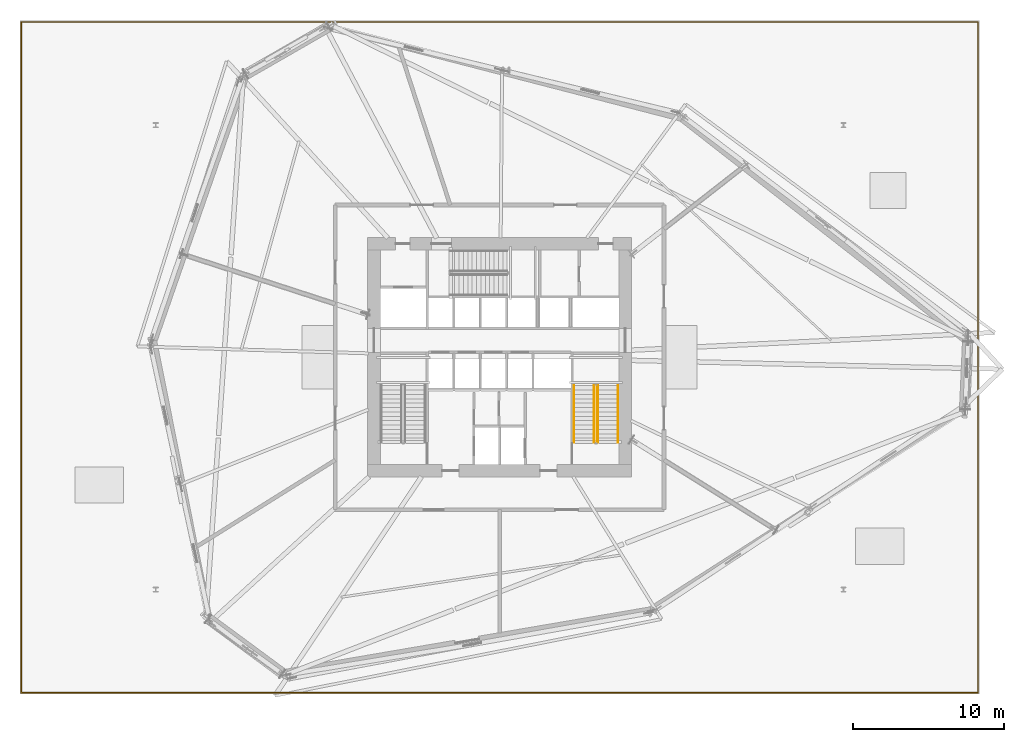
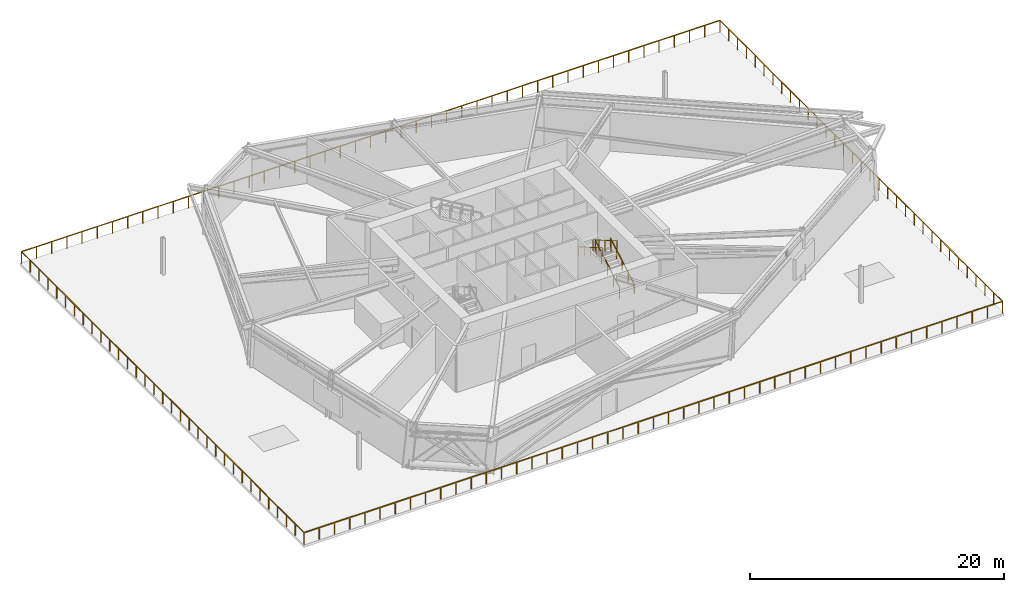
# One storey, part 17 of 20: 6 railings.
"""IFC4 building model written with IfcOpenShell, lengths in metres."""

from ifc_helpers import new_model, si_unit, direction, frame, origin, origin_2d, place, context, subcontext, project, spatial, rectangle, extrude, material, type_object, element, save


model = new_model("IFC4")

# Units and contexts
model_context = context("Model", 3, precision=1e-05, world=origin(), true_north=direction((0.0, 1.0)))
body_context = subcontext(model_context, "Body", "Model", "MODEL_VIEW")
ifc_project = project(units=[si_unit("LENGTHUNIT", "METRE"), si_unit("AREAUNIT", "SQUARE_METRE"), si_unit("VOLUMEUNIT", "CUBIC_METRE"), si_unit("PLANEANGLEUNIT", "RADIAN"), si_unit("MASSUNIT", "GRAM", prefix="KILO")], contexts=[model_context])

# Site, building, storey
site_placement = place(None, origin())
site = spatial("IfcSite", under=ifc_project, at=site_placement, CompositionType="ELEMENT")
building_placement = place(site_placement, origin())
building = spatial("IfcBuilding", under=site, at=building_placement, Name="Olszyna Solenne Hotel", CompositionType="ELEMENT")
storey_placement = place(building_placement, frame((0.0, 0.0, 24.60009765625)))
storey = spatial("IfcBuildingStorey", under=building, at=storey_placement, Name="L05", CompositionType="ELEMENT", Elevation=24.60009765625)

# Railings
ifc_material_1 = material(Name="Anodised bronze aluminium", Category="aluminium")
railing_type_1 = type_object("IfcRailingType", Name="GR-110", PredefinedType="BALUSTRADE", material=ifc_material_1)
railing_1_placement = place(storey_placement, frame((44.5, 20.949951171875, 0.167724609375)))
element("IfcRailing", 1, at=railing_1_placement, inside=storey, type_object=railing_type_1, Name="L05 ST2 stair guard 1", PredefinedType="BALUSTRADE", context=body_context, shape_type="SweptSolid", body=[
    extrude(rectangle(XDim=0.048095703125, YDim=0.048095703125, at=origin_2d()), frame((0.0, 0.0, 1.076171875), z_axis=(0.0, 0.865477444186, 0.5009478951), x_axis=(-1.0, 0.0, 0.0)), (0.0, 0.0, 1.0), 4.35595703125),
    extrude(rectangle(XDim=0.0419921875, YDim=0.0419921875, at=origin_2d()), origin(), (0.0, 0.0, 1.0), 1.052001953125),
    extrude(rectangle(XDim=0.0419921875, YDim=0.0419921875, at=origin_2d()), frame((0.0, 0.9423828125, 0.54541015625)), (0.0, 0.0, 1.0), 1.052001953125),
    extrude(rectangle(XDim=0.0419921875, YDim=0.0419921875, at=origin_2d()), frame((0.0, 1.885009765625, 1.091064453125)), (0.0, 0.0, 1.0), 1.052001953125),
    extrude(rectangle(XDim=0.0419921875, YDim=0.0419921875, at=origin_2d()), frame((0.0, 2.82763671875, 1.63671875)), (0.0, 0.0, 1.0), 1.052001953125),
    extrude(rectangle(XDim=0.0419921875, YDim=0.0419921875, at=origin_2d()), frame((0.0, 3.77001953125, 2.18212890625)), (0.0, 0.0, 1.0), 1.052001953125),
])
railing_2_placement = place(storey_placement, frame((44.280029296875, 24.719970703125, 2.517822265625)))
element("IfcRailing", 2, at=railing_2_placement, inside=storey, type_object=railing_type_1, Name="L05 ST2 stair guard 3", PredefinedType="BALUSTRADE", context=body_context, shape_type="SweptSolid", body=[
    extrude(rectangle(XDim=0.048095703125, YDim=0.048095703125, at=origin_2d()), frame((0.0, 0.0, 1.076171875), z_axis=(0.0, -0.865477444186, 0.5009478951), x_axis=(1.0, 0.0, 0.0)), (0.0, 0.0, 1.0), 4.35595703125),
    extrude(rectangle(XDim=0.0419921875, YDim=0.0419921875, at=origin_2d()), origin(), (0.0, 0.0, 1.0), 1.052001953125),
    extrude(rectangle(XDim=0.0419921875, YDim=0.0419921875, at=origin_2d()), frame((0.0, -0.9423828125, 0.54541015625)), (0.0, 0.0, 1.0), 1.052001953125),
    extrude(rectangle(XDim=0.0419921875, YDim=0.0419921875, at=origin_2d()), frame((0.0, -1.885009765625, 1.091064453125)), (0.0, 0.0, 1.0), 1.052001953125),
    extrude(rectangle(XDim=0.0419921875, YDim=0.0419921875, at=origin_2d()), frame((0.0, -2.82763671875, 1.63671875)), (0.0, 0.0, 1.0), 1.052001953125),
    extrude(rectangle(XDim=0.0419921875, YDim=0.0419921875, at=origin_2d()), frame((0.0, -3.77001953125, 2.18212890625)), (0.0, 0.0, 1.0), 1.052001953125),
])
ifc_material_2 = material(Name="Steel S355J2", Category="steel")
railing_type_2 = type_object("IfcRailingType", Name="GR-115", PredefinedType="BALUSTRADE", material=ifc_material_2)
railing_3_placement = place(storey_placement, frame((6.280029296875, 48.840087890625, 0.0)))
element("IfcRailing", 3, at=railing_3_placement, inside=storey, type_object=railing_type_2, Name="Garden terrace perimeter guard balustrade GR-L05-T11", PredefinedType="BALUSTRADE", context=body_context, shape_type="SweptSolid", body=[
    extrude(rectangle(XDim=0.048095703125, YDim=0.048095703125, at=origin_2d()), frame((0.0, 0.0, 1.1259765625), z_axis=(1.0, 0.0, 0.0), x_axis=(0.0, 1.0, 0.0)), (0.0, 0.0, 1.0), 63.43994140625),
    extrude(rectangle(XDim=0.048095703125, YDim=0.048095703125, at=origin_2d()), frame((63.43994140625, 0.0, 1.1259765625), z_axis=(0.0, -1.0, 0.0), x_axis=(1.0, 0.0, 0.0)), (0.0, 0.0, 1.0), 44.47998046875),
    extrude(rectangle(XDim=0.0419921875, YDim=0.0419921875, at=origin_2d()), origin(), (0.0, 0.0, 1.0), 1.101806640625),
    extrude(rectangle(XDim=0.0419921875, YDim=0.0419921875, at=origin_2d()), frame((1.379150390625, 0.0, 0.0)), (0.0, 0.0, 1.0), 1.101806640625),
    extrude(rectangle(XDim=0.0419921875, YDim=0.0419921875, at=origin_2d()), frame((2.75830078125, 0.0, 0.0)), (0.0, 0.0, 1.0), 1.101806640625),
    extrude(rectangle(XDim=0.0419921875, YDim=0.0419921875, at=origin_2d()), frame((4.137451171875, 0.0, 0.0)), (0.0, 0.0, 1.0), 1.101806640625),
    extrude(rectangle(XDim=0.0419921875, YDim=0.0419921875, at=origin_2d()), frame((5.5166015625, 0.0, 0.0)), (0.0, 0.0, 1.0), 1.101806640625),
    extrude(rectangle(XDim=0.0419921875, YDim=0.0419921875, at=origin_2d()), frame((6.895751953125, 0.0, 0.0)), (0.0, 0.0, 1.0), 1.101806640625),
    extrude(rectangle(XDim=0.0419921875, YDim=0.0419921875, at=origin_2d()), frame((8.274658203125, 0.0, 0.0)), (0.0, 0.0, 1.0), 1.101806640625),
    extrude(rectangle(XDim=0.0419921875, YDim=0.0419921875, at=origin_2d()), frame((9.65380859375, 0.0, 0.0)), (0.0, 0.0, 1.0), 1.101806640625),
    extrude(rectangle(XDim=0.0419921875, YDim=0.0419921875, at=origin_2d()), frame((11.032958984375, 0.0, 0.0)), (0.0, 0.0, 1.0), 1.101806640625),
    extrude(rectangle(XDim=0.0419921875, YDim=0.0419921875, at=origin_2d()), frame((12.412109375, 0.0, 0.0)), (0.0, 0.0, 1.0), 1.101806640625),
    extrude(rectangle(XDim=0.0419921875, YDim=0.0419921875, at=origin_2d()), frame((13.791259765625, 0.0, 0.0)), (0.0, 0.0, 1.0), 1.101806640625),
    extrude(rectangle(XDim=0.0419921875, YDim=0.0419921875, at=origin_2d()), frame((15.17041015625, 0.0, 0.0)), (0.0, 0.0, 1.0), 1.101806640625),
    extrude(rectangle(XDim=0.0419921875, YDim=0.0419921875, at=origin_2d()), frame((16.549560546875, 0.0, 0.0)), (0.0, 0.0, 1.0), 1.101806640625),
    extrude(rectangle(XDim=0.0419921875, YDim=0.0419921875, at=origin_2d()), frame((17.9287109375, 0.0, 0.0)), (0.0, 0.0, 1.0), 1.101806640625),
    extrude(rectangle(XDim=0.0419921875, YDim=0.0419921875, at=origin_2d()), frame((19.307861328125, 0.0, 0.0)), (0.0, 0.0, 1.0), 1.101806640625),
    extrude(rectangle(XDim=0.0419921875, YDim=0.0419921875, at=origin_2d()), frame((20.68701171875, 0.0, 0.0)), (0.0, 0.0, 1.0), 1.101806640625),
    extrude(rectangle(XDim=0.0419921875, YDim=0.0419921875, at=origin_2d()), frame((22.066162109375, 0.0, 0.0)), (0.0, 0.0, 1.0), 1.101806640625),
    extrude(rectangle(XDim=0.0419921875, YDim=0.0419921875, at=origin_2d()), frame((23.4453125, 0.0, 0.0)), (0.0, 0.0, 1.0), 1.101806640625),
    extrude(rectangle(XDim=0.0419921875, YDim=0.0419921875, at=origin_2d()), frame((24.82421875, 0.0, 0.0)), (0.0, 0.0, 1.0), 1.101806640625),
    extrude(rectangle(XDim=0.0419921875, YDim=0.0419921875, at=origin_2d()), frame((26.203369140625, 0.0, 0.0)), (0.0, 0.0, 1.0), 1.101806640625),
    extrude(rectangle(XDim=0.0419921875, YDim=0.0419921875, at=origin_2d()), frame((27.58251953125, 0.0, 0.0)), (0.0, 0.0, 1.0), 1.101806640625),
    extrude(rectangle(XDim=0.0419921875, YDim=0.0419921875, at=origin_2d()), frame((28.961669921875, 0.0, 0.0)), (0.0, 0.0, 1.0), 1.101806640625),
    extrude(rectangle(XDim=0.0419921875, YDim=0.0419921875, at=origin_2d()), frame((30.3408203125, 0.0, 0.0)), (0.0, 0.0, 1.0), 1.101806640625),
    extrude(rectangle(XDim=0.0419921875, YDim=0.0419921875, at=origin_2d()), frame((31.719970703125, 0.0, 0.0)), (0.0, 0.0, 1.0), 1.101806640625),
    extrude(rectangle(XDim=0.0419921875, YDim=0.0419921875, at=origin_2d()), frame((33.09912109375, 0.0, 0.0)), (0.0, 0.0, 1.0), 1.101806640625),
    extrude(rectangle(XDim=0.0419921875, YDim=0.0419921875, at=origin_2d()), frame((34.478271484375, 0.0, 0.0)), (0.0, 0.0, 1.0), 1.101806640625),
    extrude(rectangle(XDim=0.0419921875, YDim=0.0419921875, at=origin_2d()), frame((35.857421875, 0.0, 0.0)), (0.0, 0.0, 1.0), 1.101806640625),
    extrude(rectangle(XDim=0.0419921875, YDim=0.0419921875, at=origin_2d()), frame((37.236572265625, 0.0, 0.0)), (0.0, 0.0, 1.0), 1.101806640625),
    extrude(rectangle(XDim=0.0419921875, YDim=0.0419921875, at=origin_2d()), frame((38.61572265625, 0.0, 0.0)), (0.0, 0.0, 1.0), 1.101806640625),
    extrude(rectangle(XDim=0.0419921875, YDim=0.0419921875, at=origin_2d()), frame((39.99462890625, 0.0, 0.0)), (0.0, 0.0, 1.0), 1.101806640625),
    extrude(rectangle(XDim=0.0419921875, YDim=0.0419921875, at=origin_2d()), frame((41.373779296875, 0.0, 0.0)), (0.0, 0.0, 1.0), 1.101806640625),
    extrude(rectangle(XDim=0.0419921875, YDim=0.0419921875, at=origin_2d()), frame((42.7529296875, 0.0, 0.0)), (0.0, 0.0, 1.0), 1.101806640625),
    extrude(rectangle(XDim=0.0419921875, YDim=0.0419921875, at=origin_2d()), frame((44.132080078125, 0.0, 0.0)), (0.0, 0.0, 1.0), 1.101806640625),
    extrude(rectangle(XDim=0.0419921875, YDim=0.0419921875, at=origin_2d()), frame((45.51123046875, 0.0, 0.0)), (0.0, 0.0, 1.0), 1.101806640625),
    extrude(rectangle(XDim=0.0419921875, YDim=0.0419921875, at=origin_2d()), frame((46.890380859375, 0.0, 0.0)), (0.0, 0.0, 1.0), 1.101806640625),
    extrude(rectangle(XDim=0.0419921875, YDim=0.0419921875, at=origin_2d()), frame((48.26953125, 0.0, 0.0)), (0.0, 0.0, 1.0), 1.101806640625),
    extrude(rectangle(XDim=0.0419921875, YDim=0.0419921875, at=origin_2d()), frame((49.648681640625, 0.0, 0.0)), (0.0, 0.0, 1.0), 1.101806640625),
    extrude(rectangle(XDim=0.0419921875, YDim=0.0419921875, at=origin_2d()), frame((51.02783203125, 0.0, 0.0)), (0.0, 0.0, 1.0), 1.101806640625),
    extrude(rectangle(XDim=0.0419921875, YDim=0.0419921875, at=origin_2d()), frame((52.406982421875, 0.0, 0.0)), (0.0, 0.0, 1.0), 1.101806640625),
    extrude(rectangle(XDim=0.0419921875, YDim=0.0419921875, at=origin_2d()), frame((53.7861328125, 0.0, 0.0)), (0.0, 0.0, 1.0), 1.101806640625),
    extrude(rectangle(XDim=0.0419921875, YDim=0.0419921875, at=origin_2d()), frame((55.165283203125, 0.0, 0.0)), (0.0, 0.0, 1.0), 1.101806640625),
    extrude(rectangle(XDim=0.0419921875, YDim=0.0419921875, at=origin_2d()), frame((56.544189453125, 0.0, 0.0)), (0.0, 0.0, 1.0), 1.101806640625),
    extrude(rectangle(XDim=0.0419921875, YDim=0.0419921875, at=origin_2d()), frame((57.92333984375, 0.0, 0.0)), (0.0, 0.0, 1.0), 1.101806640625),
    extrude(rectangle(XDim=0.0419921875, YDim=0.0419921875, at=origin_2d()), frame((59.302490234375, 0.0, 0.0)), (0.0, 0.0, 1.0), 1.101806640625),
    extrude(rectangle(XDim=0.0419921875, YDim=0.0419921875, at=origin_2d()), frame((60.681640625, 0.0, 0.0)), (0.0, 0.0, 1.0), 1.101806640625),
    extrude(rectangle(XDim=0.0419921875, YDim=0.0419921875, at=origin_2d()), frame((62.060791015625, 0.0, 0.0)), (0.0, 0.0, 1.0), 1.101806640625),
    extrude(rectangle(XDim=0.0419921875, YDim=0.0419921875, at=origin_2d()), frame((63.43994140625, 0.0, 0.0)), (0.0, 0.0, 1.0), 1.101806640625),
    extrude(rectangle(XDim=0.0419921875, YDim=0.0419921875, at=origin_2d()), frame((63.43994140625, -1.389892578125, 0.0)), (0.0, 0.0, 1.0), 1.101806640625),
    extrude(rectangle(XDim=0.0419921875, YDim=0.0419921875, at=origin_2d()), frame((63.43994140625, -2.780029296875, 0.0)), (0.0, 0.0, 1.0), 1.101806640625),
    extrude(rectangle(XDim=0.0419921875, YDim=0.0419921875, at=origin_2d()), frame((63.43994140625, -4.169921875, 0.0)), (0.0, 0.0, 1.0), 1.101806640625),
    extrude(rectangle(XDim=0.0419921875, YDim=0.0419921875, at=origin_2d()), frame((63.43994140625, -5.56005859375, 0.0)), (0.0, 0.0, 1.0), 1.101806640625),
    extrude(rectangle(XDim=0.0419921875, YDim=0.0419921875, at=origin_2d()), frame((63.43994140625, -6.949951171875, 0.0)), (0.0, 0.0, 1.0), 1.101806640625),
    extrude(rectangle(XDim=0.0419921875, YDim=0.0419921875, at=origin_2d()), frame((63.43994140625, -8.340087890625, 0.0)), (0.0, 0.0, 1.0), 1.101806640625),
    extrude(rectangle(XDim=0.0419921875, YDim=0.0419921875, at=origin_2d()), frame((63.43994140625, -9.72998046875, 0.0)), (0.0, 0.0, 1.0), 1.101806640625),
    extrude(rectangle(XDim=0.0419921875, YDim=0.0419921875, at=origin_2d()), frame((63.43994140625, -11.1201171875, 0.0)), (0.0, 0.0, 1.0), 1.101806640625),
    extrude(rectangle(XDim=0.0419921875, YDim=0.0419921875, at=origin_2d()), frame((63.43994140625, -12.510009765625, 0.0)), (0.0, 0.0, 1.0), 1.101806640625),
    extrude(rectangle(XDim=0.0419921875, YDim=0.0419921875, at=origin_2d()), frame((63.43994140625, -13.89990234375, 0.0)), (0.0, 0.0, 1.0), 1.101806640625),
    extrude(rectangle(XDim=0.0419921875, YDim=0.0419921875, at=origin_2d()), frame((63.43994140625, -15.2900390625, 0.0)), (0.0, 0.0, 1.0), 1.101806640625),
    extrude(rectangle(XDim=0.0419921875, YDim=0.0419921875, at=origin_2d()), frame((63.43994140625, -16.679931640625, 0.0)), (0.0, 0.0, 1.0), 1.101806640625),
    extrude(rectangle(XDim=0.0419921875, YDim=0.0419921875, at=origin_2d()), frame((63.43994140625, -18.070068359375, 0.0)), (0.0, 0.0, 1.0), 1.101806640625),
    extrude(rectangle(XDim=0.0419921875, YDim=0.0419921875, at=origin_2d()), frame((63.43994140625, -19.4599609375, 0.0)), (0.0, 0.0, 1.0), 1.101806640625),
    extrude(rectangle(XDim=0.0419921875, YDim=0.0419921875, at=origin_2d()), frame((63.43994140625, -20.85009765625, 0.0)), (0.0, 0.0, 1.0), 1.101806640625),
    extrude(rectangle(XDim=0.0419921875, YDim=0.0419921875, at=origin_2d()), frame((63.43994140625, -22.239990234375, 0.0)), (0.0, 0.0, 1.0), 1.101806640625),
    extrude(rectangle(XDim=0.0419921875, YDim=0.0419921875, at=origin_2d()), frame((63.43994140625, -23.6298828125, 0.0)), (0.0, 0.0, 1.0), 1.101806640625),
    extrude(rectangle(XDim=0.0419921875, YDim=0.0419921875, at=origin_2d()), frame((63.43994140625, -25.02001953125, 0.0)), (0.0, 0.0, 1.0), 1.101806640625),
    extrude(rectangle(XDim=0.0419921875, YDim=0.0419921875, at=origin_2d()), frame((63.43994140625, -26.409912109375, 0.0)), (0.0, 0.0, 1.0), 1.101806640625),
    extrude(rectangle(XDim=0.0419921875, YDim=0.0419921875, at=origin_2d()), frame((63.43994140625, -27.800048828125, 0.0)), (0.0, 0.0, 1.0), 1.101806640625),
    extrude(rectangle(XDim=0.0419921875, YDim=0.0419921875, at=origin_2d()), frame((63.43994140625, -29.18994140625, 0.0)), (0.0, 0.0, 1.0), 1.101806640625),
    extrude(rectangle(XDim=0.0419921875, YDim=0.0419921875, at=origin_2d()), frame((63.43994140625, -30.580078125, 0.0)), (0.0, 0.0, 1.0), 1.101806640625),
    extrude(rectangle(XDim=0.0419921875, YDim=0.0419921875, at=origin_2d()), frame((63.43994140625, -31.969970703125, 0.0)), (0.0, 0.0, 1.0), 1.101806640625),
    extrude(rectangle(XDim=0.0419921875, YDim=0.0419921875, at=origin_2d()), frame((63.43994140625, -33.35986328125, 0.0)), (0.0, 0.0, 1.0), 1.101806640625),
    extrude(rectangle(XDim=0.0419921875, YDim=0.0419921875, at=origin_2d()), frame((63.43994140625, -34.75, 0.0)), (0.0, 0.0, 1.0), 1.101806640625),
    extrude(rectangle(XDim=0.0419921875, YDim=0.0419921875, at=origin_2d()), frame((63.43994140625, -36.139892578125, 0.0)), (0.0, 0.0, 1.0), 1.101806640625),
    extrude(rectangle(XDim=0.0419921875, YDim=0.0419921875, at=origin_2d()), frame((63.43994140625, -37.530029296875, 0.0)), (0.0, 0.0, 1.0), 1.101806640625),
    extrude(rectangle(XDim=0.0419921875, YDim=0.0419921875, at=origin_2d()), frame((63.43994140625, -38.919921875, 0.0)), (0.0, 0.0, 1.0), 1.101806640625),
    extrude(rectangle(XDim=0.0419921875, YDim=0.0419921875, at=origin_2d()), frame((63.43994140625, -40.31005859375, 0.0)), (0.0, 0.0, 1.0), 1.101806640625),
    extrude(rectangle(XDim=0.0419921875, YDim=0.0419921875, at=origin_2d()), frame((63.43994140625, -41.699951171875, 0.0)), (0.0, 0.0, 1.0), 1.101806640625),
    extrude(rectangle(XDim=0.0419921875, YDim=0.0419921875, at=origin_2d()), frame((63.43994140625, -43.090087890625, 0.0)), (0.0, 0.0, 1.0), 1.101806640625),
    extrude(rectangle(XDim=0.0419921875, YDim=0.0419921875, at=origin_2d()), frame((63.43994140625, -44.47998046875, 0.0)), (0.0, 0.0, 1.0), 1.101806640625),
])
railing_4_placement = place(storey_placement, frame((69.719970703125, 4.360107421875, 0.0)))
element("IfcRailing", 4, at=railing_4_placement, inside=storey, type_object=railing_type_2, Name="Garden terrace perimeter guard balustrade GR-L05-T12", PredefinedType="BALUSTRADE", context=body_context, shape_type="SweptSolid", body=[
    extrude(rectangle(XDim=0.048095703125, YDim=0.048095703125, at=origin_2d()), frame((0.0, 0.0, 1.1259765625), z_axis=(-1.0, 0.0, 0.0), x_axis=(0.0, -1.0, 0.0)), (0.0, 0.0, 1.0), 63.43994140625),
    extrude(rectangle(XDim=0.048095703125, YDim=0.048095703125, at=origin_2d()), frame((-63.43994140625, 0.0, 1.1259765625), z_axis=(0.0, 1.0, 0.0), x_axis=(-1.0, 0.0, 0.0)), (0.0, 0.0, 1.0), 44.47998046875),
    extrude(rectangle(XDim=0.0419921875, YDim=0.0419921875, at=origin_2d()), origin(), (0.0, 0.0, 1.0), 1.101806640625),
    extrude(rectangle(XDim=0.0419921875, YDim=0.0419921875, at=origin_2d()), frame((-1.379150390625, 0.0, 0.0)), (0.0, 0.0, 1.0), 1.101806640625),
    extrude(rectangle(XDim=0.0419921875, YDim=0.0419921875, at=origin_2d()), frame((-2.75830078125, 0.0, 0.0)), (0.0, 0.0, 1.0), 1.101806640625),
    extrude(rectangle(XDim=0.0419921875, YDim=0.0419921875, at=origin_2d()), frame((-4.137451171875, 0.0, 0.0)), (0.0, 0.0, 1.0), 1.101806640625),
    extrude(rectangle(XDim=0.0419921875, YDim=0.0419921875, at=origin_2d()), frame((-5.5166015625, 0.0, 0.0)), (0.0, 0.0, 1.0), 1.101806640625),
    extrude(rectangle(XDim=0.0419921875, YDim=0.0419921875, at=origin_2d()), frame((-6.895751953125, 0.0, 0.0)), (0.0, 0.0, 1.0), 1.101806640625),
    extrude(rectangle(XDim=0.0419921875, YDim=0.0419921875, at=origin_2d()), frame((-8.274658203125, 0.0, 0.0)), (0.0, 0.0, 1.0), 1.101806640625),
    extrude(rectangle(XDim=0.0419921875, YDim=0.0419921875, at=origin_2d()), frame((-9.65380859375, 0.0, 0.0)), (0.0, 0.0, 1.0), 1.101806640625),
    extrude(rectangle(XDim=0.0419921875, YDim=0.0419921875, at=origin_2d()), frame((-11.032958984375, 0.0, 0.0)), (0.0, 0.0, 1.0), 1.101806640625),
    extrude(rectangle(XDim=0.0419921875, YDim=0.0419921875, at=origin_2d()), frame((-12.412109375, 0.0, 0.0)), (0.0, 0.0, 1.0), 1.101806640625),
    extrude(rectangle(XDim=0.0419921875, YDim=0.0419921875, at=origin_2d()), frame((-13.791259765625, 0.0, 0.0)), (0.0, 0.0, 1.0), 1.101806640625),
    extrude(rectangle(XDim=0.0419921875, YDim=0.0419921875, at=origin_2d()), frame((-15.17041015625, 0.0, 0.0)), (0.0, 0.0, 1.0), 1.101806640625),
    extrude(rectangle(XDim=0.0419921875, YDim=0.0419921875, at=origin_2d()), frame((-16.549560546875, 0.0, 0.0)), (0.0, 0.0, 1.0), 1.101806640625),
    extrude(rectangle(XDim=0.0419921875, YDim=0.0419921875, at=origin_2d()), frame((-17.9287109375, 0.0, 0.0)), (0.0, 0.0, 1.0), 1.101806640625),
    extrude(rectangle(XDim=0.0419921875, YDim=0.0419921875, at=origin_2d()), frame((-19.307861328125, 0.0, 0.0)), (0.0, 0.0, 1.0), 1.101806640625),
    extrude(rectangle(XDim=0.0419921875, YDim=0.0419921875, at=origin_2d()), frame((-20.68701171875, 0.0, 0.0)), (0.0, 0.0, 1.0), 1.101806640625),
    extrude(rectangle(XDim=0.0419921875, YDim=0.0419921875, at=origin_2d()), frame((-22.066162109375, 0.0, 0.0)), (0.0, 0.0, 1.0), 1.101806640625),
    extrude(rectangle(XDim=0.0419921875, YDim=0.0419921875, at=origin_2d()), frame((-23.4453125, 0.0, 0.0)), (0.0, 0.0, 1.0), 1.101806640625),
    extrude(rectangle(XDim=0.0419921875, YDim=0.0419921875, at=origin_2d()), frame((-24.82421875, 0.0, 0.0)), (0.0, 0.0, 1.0), 1.101806640625),
    extrude(rectangle(XDim=0.0419921875, YDim=0.0419921875, at=origin_2d()), frame((-26.203369140625, 0.0, 0.0)), (0.0, 0.0, 1.0), 1.101806640625),
    extrude(rectangle(XDim=0.0419921875, YDim=0.0419921875, at=origin_2d()), frame((-27.58251953125, 0.0, 0.0)), (0.0, 0.0, 1.0), 1.101806640625),
    extrude(rectangle(XDim=0.0419921875, YDim=0.0419921875, at=origin_2d()), frame((-28.961669921875, 0.0, 0.0)), (0.0, 0.0, 1.0), 1.101806640625),
    extrude(rectangle(XDim=0.0419921875, YDim=0.0419921875, at=origin_2d()), frame((-30.3408203125, 0.0, 0.0)), (0.0, 0.0, 1.0), 1.101806640625),
    extrude(rectangle(XDim=0.0419921875, YDim=0.0419921875, at=origin_2d()), frame((-31.719970703125, 0.0, 0.0)), (0.0, 0.0, 1.0), 1.101806640625),
    extrude(rectangle(XDim=0.0419921875, YDim=0.0419921875, at=origin_2d()), frame((-33.09912109375, 0.0, 0.0)), (0.0, 0.0, 1.0), 1.101806640625),
    extrude(rectangle(XDim=0.0419921875, YDim=0.0419921875, at=origin_2d()), frame((-34.478271484375, 0.0, 0.0)), (0.0, 0.0, 1.0), 1.101806640625),
    extrude(rectangle(XDim=0.0419921875, YDim=0.0419921875, at=origin_2d()), frame((-35.857421875, 0.0, 0.0)), (0.0, 0.0, 1.0), 1.101806640625),
    extrude(rectangle(XDim=0.0419921875, YDim=0.0419921875, at=origin_2d()), frame((-37.236572265625, 0.0, 0.0)), (0.0, 0.0, 1.0), 1.101806640625),
    extrude(rectangle(XDim=0.0419921875, YDim=0.0419921875, at=origin_2d()), frame((-38.61572265625, 0.0, 0.0)), (0.0, 0.0, 1.0), 1.101806640625),
    extrude(rectangle(XDim=0.0419921875, YDim=0.0419921875, at=origin_2d()), frame((-39.99462890625, 0.0, 0.0)), (0.0, 0.0, 1.0), 1.101806640625),
    extrude(rectangle(XDim=0.0419921875, YDim=0.0419921875, at=origin_2d()), frame((-41.373779296875, 0.0, 0.0)), (0.0, 0.0, 1.0), 1.101806640625),
    extrude(rectangle(XDim=0.0419921875, YDim=0.0419921875, at=origin_2d()), frame((-42.7529296875, 0.0, 0.0)), (0.0, 0.0, 1.0), 1.101806640625),
    extrude(rectangle(XDim=0.0419921875, YDim=0.0419921875, at=origin_2d()), frame((-44.132080078125, 0.0, 0.0)), (0.0, 0.0, 1.0), 1.101806640625),
    extrude(rectangle(XDim=0.0419921875, YDim=0.0419921875, at=origin_2d()), frame((-45.51123046875, 0.0, 0.0)), (0.0, 0.0, 1.0), 1.101806640625),
    extrude(rectangle(XDim=0.0419921875, YDim=0.0419921875, at=origin_2d()), frame((-46.890380859375, 0.0, 0.0)), (0.0, 0.0, 1.0), 1.101806640625),
    extrude(rectangle(XDim=0.0419921875, YDim=0.0419921875, at=origin_2d()), frame((-48.26953125, 0.0, 0.0)), (0.0, 0.0, 1.0), 1.101806640625),
    extrude(rectangle(XDim=0.0419921875, YDim=0.0419921875, at=origin_2d()), frame((-49.648681640625, 0.0, 0.0)), (0.0, 0.0, 1.0), 1.101806640625),
    extrude(rectangle(XDim=0.0419921875, YDim=0.0419921875, at=origin_2d()), frame((-51.02783203125, 0.0, 0.0)), (0.0, 0.0, 1.0), 1.101806640625),
    extrude(rectangle(XDim=0.0419921875, YDim=0.0419921875, at=origin_2d()), frame((-52.406982421875, 0.0, 0.0)), (0.0, 0.0, 1.0), 1.101806640625),
    extrude(rectangle(XDim=0.0419921875, YDim=0.0419921875, at=origin_2d()), frame((-53.7861328125, 0.0, 0.0)), (0.0, 0.0, 1.0), 1.101806640625),
    extrude(rectangle(XDim=0.0419921875, YDim=0.0419921875, at=origin_2d()), frame((-55.165283203125, 0.0, 0.0)), (0.0, 0.0, 1.0), 1.101806640625),
    extrude(rectangle(XDim=0.0419921875, YDim=0.0419921875, at=origin_2d()), frame((-56.544189453125, 0.0, 0.0)), (0.0, 0.0, 1.0), 1.101806640625),
    extrude(rectangle(XDim=0.0419921875, YDim=0.0419921875, at=origin_2d()), frame((-57.92333984375, 0.0, 0.0)), (0.0, 0.0, 1.0), 1.101806640625),
    extrude(rectangle(XDim=0.0419921875, YDim=0.0419921875, at=origin_2d()), frame((-59.302490234375, 0.0, 0.0)), (0.0, 0.0, 1.0), 1.101806640625),
    extrude(rectangle(XDim=0.0419921875, YDim=0.0419921875, at=origin_2d()), frame((-60.681640625, 0.0, 0.0)), (0.0, 0.0, 1.0), 1.101806640625),
    extrude(rectangle(XDim=0.0419921875, YDim=0.0419921875, at=origin_2d()), frame((-62.060791015625, 0.0, 0.0)), (0.0, 0.0, 1.0), 1.101806640625),
    extrude(rectangle(XDim=0.0419921875, YDim=0.0419921875, at=origin_2d()), frame((-63.43994140625, 0.0, 0.0)), (0.0, 0.0, 1.0), 1.101806640625),
    extrude(rectangle(XDim=0.0419921875, YDim=0.0419921875, at=origin_2d()), frame((-63.43994140625, 1.389892578125, 0.0)), (0.0, 0.0, 1.0), 1.101806640625),
    extrude(rectangle(XDim=0.0419921875, YDim=0.0419921875, at=origin_2d()), frame((-63.43994140625, 2.780029296875, 0.0)), (0.0, 0.0, 1.0), 1.101806640625),
    extrude(rectangle(XDim=0.0419921875, YDim=0.0419921875, at=origin_2d()), frame((-63.43994140625, 4.169921875, 0.0)), (0.0, 0.0, 1.0), 1.101806640625),
    extrude(rectangle(XDim=0.0419921875, YDim=0.0419921875, at=origin_2d()), frame((-63.43994140625, 5.56005859375, 0.0)), (0.0, 0.0, 1.0), 1.101806640625),
    extrude(rectangle(XDim=0.0419921875, YDim=0.0419921875, at=origin_2d()), frame((-63.43994140625, 6.949951171875, 0.0)), (0.0, 0.0, 1.0), 1.101806640625),
    extrude(rectangle(XDim=0.0419921875, YDim=0.0419921875, at=origin_2d()), frame((-63.43994140625, 8.340087890625, 0.0)), (0.0, 0.0, 1.0), 1.101806640625),
    extrude(rectangle(XDim=0.0419921875, YDim=0.0419921875, at=origin_2d()), frame((-63.43994140625, 9.72998046875, 0.0)), (0.0, 0.0, 1.0), 1.101806640625),
    extrude(rectangle(XDim=0.0419921875, YDim=0.0419921875, at=origin_2d()), frame((-63.43994140625, 11.1201171875, 0.0)), (0.0, 0.0, 1.0), 1.101806640625),
    extrude(rectangle(XDim=0.0419921875, YDim=0.0419921875, at=origin_2d()), frame((-63.43994140625, 12.510009765625, 0.0)), (0.0, 0.0, 1.0), 1.101806640625),
    extrude(rectangle(XDim=0.0419921875, YDim=0.0419921875, at=origin_2d()), frame((-63.43994140625, 13.89990234375, 0.0)), (0.0, 0.0, 1.0), 1.101806640625),
    extrude(rectangle(XDim=0.0419921875, YDim=0.0419921875, at=origin_2d()), frame((-63.43994140625, 15.2900390625, 0.0)), (0.0, 0.0, 1.0), 1.101806640625),
    extrude(rectangle(XDim=0.0419921875, YDim=0.0419921875, at=origin_2d()), frame((-63.43994140625, 16.679931640625, 0.0)), (0.0, 0.0, 1.0), 1.101806640625),
    extrude(rectangle(XDim=0.0419921875, YDim=0.0419921875, at=origin_2d()), frame((-63.43994140625, 18.070068359375, 0.0)), (0.0, 0.0, 1.0), 1.101806640625),
    extrude(rectangle(XDim=0.0419921875, YDim=0.0419921875, at=origin_2d()), frame((-63.43994140625, 19.4599609375, 0.0)), (0.0, 0.0, 1.0), 1.101806640625),
    extrude(rectangle(XDim=0.0419921875, YDim=0.0419921875, at=origin_2d()), frame((-63.43994140625, 20.85009765625, 0.0)), (0.0, 0.0, 1.0), 1.101806640625),
    extrude(rectangle(XDim=0.0419921875, YDim=0.0419921875, at=origin_2d()), frame((-63.43994140625, 22.239990234375, 0.0)), (0.0, 0.0, 1.0), 1.101806640625),
    extrude(rectangle(XDim=0.0419921875, YDim=0.0419921875, at=origin_2d()), frame((-63.43994140625, 23.6298828125, 0.0)), (0.0, 0.0, 1.0), 1.101806640625),
    extrude(rectangle(XDim=0.0419921875, YDim=0.0419921875, at=origin_2d()), frame((-63.43994140625, 25.02001953125, 0.0)), (0.0, 0.0, 1.0), 1.101806640625),
    extrude(rectangle(XDim=0.0419921875, YDim=0.0419921875, at=origin_2d()), frame((-63.43994140625, 26.409912109375, 0.0)), (0.0, 0.0, 1.0), 1.101806640625),
    extrude(rectangle(XDim=0.0419921875, YDim=0.0419921875, at=origin_2d()), frame((-63.43994140625, 27.800048828125, 0.0)), (0.0, 0.0, 1.0), 1.101806640625),
    extrude(rectangle(XDim=0.0419921875, YDim=0.0419921875, at=origin_2d()), frame((-63.43994140625, 29.18994140625, 0.0)), (0.0, 0.0, 1.0), 1.101806640625),
    extrude(rectangle(XDim=0.0419921875, YDim=0.0419921875, at=origin_2d()), frame((-63.43994140625, 30.580078125, 0.0)), (0.0, 0.0, 1.0), 1.101806640625),
    extrude(rectangle(XDim=0.0419921875, YDim=0.0419921875, at=origin_2d()), frame((-63.43994140625, 31.969970703125, 0.0)), (0.0, 0.0, 1.0), 1.101806640625),
    extrude(rectangle(XDim=0.0419921875, YDim=0.0419921875, at=origin_2d()), frame((-63.43994140625, 33.35986328125, 0.0)), (0.0, 0.0, 1.0), 1.101806640625),
    extrude(rectangle(XDim=0.0419921875, YDim=0.0419921875, at=origin_2d()), frame((-63.43994140625, 34.75, 0.0)), (0.0, 0.0, 1.0), 1.101806640625),
    extrude(rectangle(XDim=0.0419921875, YDim=0.0419921875, at=origin_2d()), frame((-63.43994140625, 36.139892578125, 0.0)), (0.0, 0.0, 1.0), 1.101806640625),
    extrude(rectangle(XDim=0.0419921875, YDim=0.0419921875, at=origin_2d()), frame((-63.43994140625, 37.530029296875, 0.0)), (0.0, 0.0, 1.0), 1.101806640625),
    extrude(rectangle(XDim=0.0419921875, YDim=0.0419921875, at=origin_2d()), frame((-63.43994140625, 38.919921875, 0.0)), (0.0, 0.0, 1.0), 1.101806640625),
    extrude(rectangle(XDim=0.0419921875, YDim=0.0419921875, at=origin_2d()), frame((-63.43994140625, 40.31005859375, 0.0)), (0.0, 0.0, 1.0), 1.101806640625),
    extrude(rectangle(XDim=0.0419921875, YDim=0.0419921875, at=origin_2d()), frame((-63.43994140625, 41.699951171875, 0.0)), (0.0, 0.0, 1.0), 1.101806640625),
    extrude(rectangle(XDim=0.0419921875, YDim=0.0419921875, at=origin_2d()), frame((-63.43994140625, 43.090087890625, 0.0)), (0.0, 0.0, 1.0), 1.101806640625),
    extrude(rectangle(XDim=0.0419921875, YDim=0.0419921875, at=origin_2d()), frame((-63.43994140625, 44.47998046875, 0.0)), (0.0, 0.0, 1.0), 1.101806640625),
])
railing_type_3 = type_object("IfcRailingType", Name="HR-090", PredefinedType="HANDRAIL", material=ifc_material_2)
railing_5_placement = place(storey_placement, frame((45.85009765625, 20.949951171875, 0.167724609375)))
element("IfcRailing", 5, at=railing_5_placement, inside=storey, type_object=railing_type_3, Name="L05 ST2 stair handrail 1", PredefinedType="HANDRAIL", context=body_context, shape_type="SweptSolid", body=[
    extrude(rectangle(XDim=0.048095703125, YDim=0.048095703125, at=origin_2d()), frame((0.0, 0.0, 0.8759765625), z_axis=(0.0, 0.865477444186, 0.5009478951), x_axis=(-1.0, 0.0, 0.0)), (0.0, 0.0, 1.0), 4.35595703125),
    extrude(rectangle(XDim=0.0419921875, YDim=0.0419921875, at=origin_2d()), origin(), (0.0, 0.0, 1.0), 0.851806640625),
    extrude(rectangle(XDim=0.0419921875, YDim=0.0419921875, at=origin_2d()), frame((0.0, 0.9423828125, 0.54541015625)), (0.0, 0.0, 1.0), 0.851806640625),
    extrude(rectangle(XDim=0.0419921875, YDim=0.0419921875, at=origin_2d()), frame((0.0, 1.885009765625, 1.091064453125)), (0.0, 0.0, 1.0), 0.851806640625),
    extrude(rectangle(XDim=0.0419921875, YDim=0.0419921875, at=origin_2d()), frame((0.0, 2.82763671875, 1.63671875)), (0.0, 0.0, 1.0), 0.851806640625),
    extrude(rectangle(XDim=0.0419921875, YDim=0.0419921875, at=origin_2d()), frame((0.0, 3.77001953125, 2.18212890625)), (0.0, 0.0, 1.0), 0.851806640625),
])
railing_6_placement = place(storey_placement, frame((42.929931640625, 24.719970703125, 2.517822265625)))
element("IfcRailing", 6, at=railing_6_placement, inside=storey, type_object=railing_type_3, Name="L05 ST2 stair handrail 2", PredefinedType="HANDRAIL", context=body_context, shape_type="SweptSolid", body=[
    extrude(rectangle(XDim=0.048095703125, YDim=0.048095703125, at=origin_2d()), frame((0.0, 0.0, 0.8759765625), z_axis=(0.0, -0.865477444186, 0.5009478951), x_axis=(1.0, 0.0, 0.0)), (0.0, 0.0, 1.0), 4.35595703125),
    extrude(rectangle(XDim=0.0419921875, YDim=0.0419921875, at=origin_2d()), origin(), (0.0, 0.0, 1.0), 0.851806640625),
    extrude(rectangle(XDim=0.0419921875, YDim=0.0419921875, at=origin_2d()), frame((0.0, -0.9423828125, 0.54541015625)), (0.0, 0.0, 1.0), 0.851806640625),
    extrude(rectangle(XDim=0.0419921875, YDim=0.0419921875, at=origin_2d()), frame((0.0, -1.885009765625, 1.091064453125)), (0.0, 0.0, 1.0), 0.851806640625),
    extrude(rectangle(XDim=0.0419921875, YDim=0.0419921875, at=origin_2d()), frame((0.0, -2.82763671875, 1.63671875)), (0.0, 0.0, 1.0), 0.851806640625),
    extrude(rectangle(XDim=0.0419921875, YDim=0.0419921875, at=origin_2d()), frame((0.0, -3.77001953125, 2.18212890625)), (0.0, 0.0, 1.0), 0.851806640625),
])

save(model, "model.ifc")
